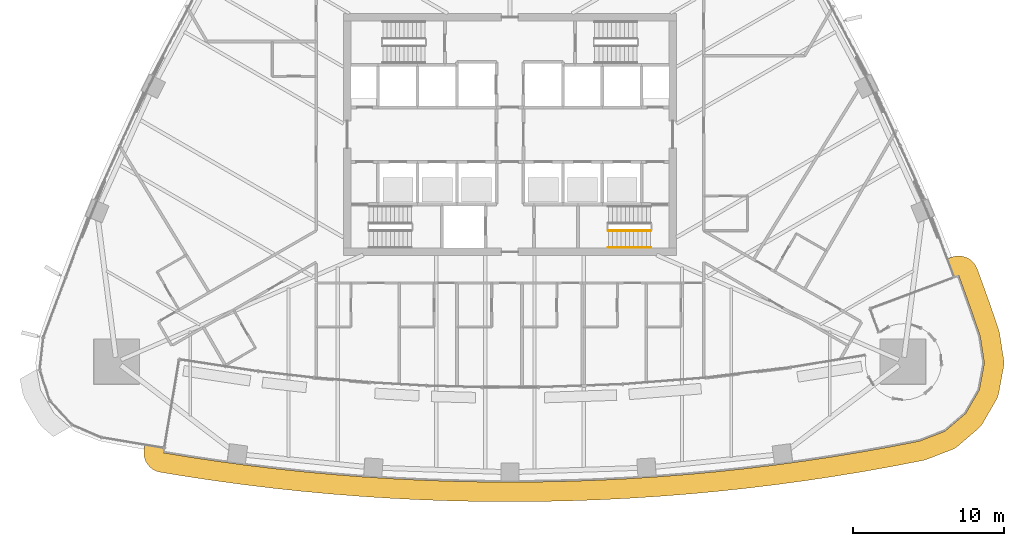
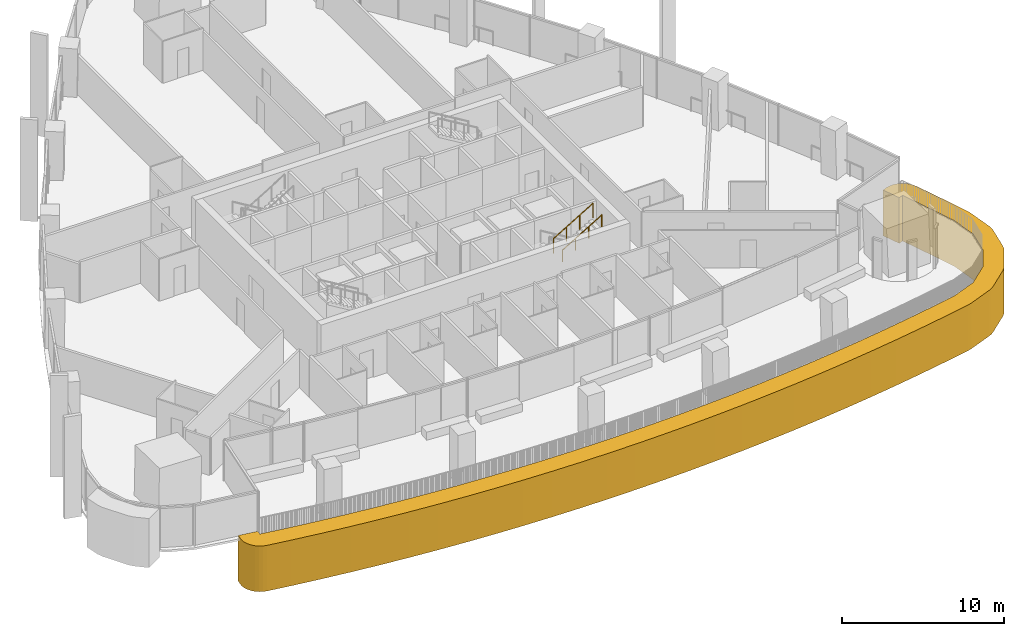
# One storey, part 22 of 25: 2 railings, 1 covering.
"""IFC4 building model written with IfcOpenShell, lengths in metres."""

import ifcopenshell
import ifcopenshell.guid

model = None  # the IFC model being written
_history = None  # IfcOwnerHistory: only IFC2X3 demands one
_inside = {}  # id of a spatial element -> (the spatial element, [elements in it])
_under = {}  # id of a project, library or spatial element -> (it, [spatial elements below it])
_declared = {}  # id of a project -> (the project, [libraries it declares])
_typed = {}  # id of a type object -> (the type object, [elements of that type])
_made_of = {}  # id of a material, layer set ... -> (it, [elements and type objects made of it])


def new_model(schema):
    """Start an empty IFC model of exactly this schema.

    Asked for "IFC4X3", IfcOpenShell would pick the latest addendum, in which some entities
    have other attributes; the version numbers below select the first issue.
    IFC2X3 requires an IfcOwnerHistory on every rooted entity: one is made here for all.
    """
    global model, _history
    if schema == "IFC4X3":
        model = ifcopenshell.file(schema_version=(4, 3, 0, 0))
    else:
        model = ifcopenshell.file(schema=schema)
    _inside.clear()
    _under.clear()
    _declared.clear()
    _typed.clear()
    _made_of.clear()
    _history = None
    if model.schema == "IFC2X3":
        org = make("IfcOrganization", Name="unknown")
        user = make(
            "IfcPersonAndOrganization",
            ThePerson=make("IfcPerson", FamilyName="unknown"),
            TheOrganization=org,
        )
        app = make(
            "IfcApplication",
            ApplicationDeveloper=org,
            Version="unknown",
            ApplicationFullName="unknown",
            ApplicationIdentifier="unknown",
        )
        _history = make(
            "IfcOwnerHistory",
            OwningUser=user,
            OwningApplication=app,
            ChangeAction="ADDED",
            CreationDate=0,
        )
    return model


def make(cls, **values):
    """One entity of the class cls with the attributes given. An attribute that is None is left unset."""
    return model.create_entity(
        cls, **{name: value for name, value in values.items() if value is not None}
    )


def rooted(cls, **values):
    """An entity with a GlobalId (a new one), such as an element, a storey or a relation."""
    return make(cls, GlobalId=ifcopenshell.guid.new(), OwnerHistory=_history, **values)


def si_unit(unit_type, name, prefix=None):
    """IfcSIUnit, for example si_unit("LENGTHUNIT", "METRE", prefix="MILLI")."""
    return make("IfcSIUnit", UnitType=unit_type, Prefix=prefix, Name=name)


def assignment(units):
    """IfcUnitAssignment: the units of a project."""
    return None if units is None else make("IfcUnitAssignment", Units=units)


def point(xyz):
    """IfcCartesianPoint."""
    return None if xyz is None else make("IfcCartesianPoint", Coordinates=xyz)


def direction(xyz):
    """IfcDirection."""
    return None if xyz is None else make("IfcDirection", DirectionRatios=xyz)


def frame(location, z_axis=None, x_axis=None):
    """IfcAxis2Placement3D, a coordinate frame: its origin and axes. An axis left out is left unset."""
    return make(
        "IfcAxis2Placement3D",
        Location=point(location),
        Axis=direction(z_axis),
        RefDirection=direction(x_axis),
    )


def frame_2d(location, x_axis=None):
    """IfcAxis2Placement2D, a coordinate frame in the plane: its origin and x axis."""
    return make(
        "IfcAxis2Placement2D", Location=point(location), RefDirection=direction(x_axis)
    )


def origin():
    """The frame at (0, 0, 0) with its axes left unset."""
    return frame((0.0, 0.0, 0.0))


def origin_2d():
    """The frame at (0, 0) in the plane with its x axis left unset."""
    return frame_2d((0.0, 0.0))


def place(relative_to, where):
    """IfcLocalPlacement: puts the frame where relative to a parent placement (None: the world)."""
    return make(
        "IfcLocalPlacement", PlacementRelTo=relative_to, RelativePlacement=where
    )


def context(
    kind, dimensions, precision=None, world=None, true_north=None, identifier=None
):
    """IfcGeometricRepresentationContext, for example the 3D "Model" context."""
    return make(
        "IfcGeometricRepresentationContext",
        ContextIdentifier=identifier,
        ContextType=kind,
        CoordinateSpaceDimension=dimensions,
        Precision=precision,
        WorldCoordinateSystem=world,
        TrueNorth=true_north,
    )


def subcontext(parent, identifier, kind, view, scale=None):
    """IfcGeometricRepresentationSubContext, for example "Body" below "Model"."""
    return make(
        "IfcGeometricRepresentationSubContext",
        ContextIdentifier=identifier,
        ContextType=kind,
        ParentContext=parent,
        TargetScale=scale,
        TargetView=view,
    )


def project(units=None, contexts=None):
    """IfcProject with its units and contexts."""
    return rooted(
        "IfcProject",
        Name="project",
        RepresentationContexts=contexts,
        UnitsInContext=assignment(units),
    )


def spatial(cls, under=None, at=None, **own):
    """A site, building, storey or space (cls), placed at a placement, below another one or the project."""
    s = rooted(cls, ObjectPlacement=at, **own)
    if under is not None:
        _under.setdefault(under.id(), (under, []))[1].append(s)
    return s


def polyline(points):
    """IfcPolyline through the points."""
    return make("IfcPolyline", Points=[point(p) for p in points])


def profile(cls, at=None, kind="AREA", **sizes):
    """A parametric profile (cls). Its sizes go by their IFC names, for example OverallWidth=200.0."""
    return make(cls, ProfileType=kind, Position=at, **sizes)


def circle(**sizes):
    """IfcCircleProfileDef."""
    return profile("IfcCircleProfileDef", **sizes)


def outline(outer, holes=None, kind="AREA"):
    """IfcArbitraryClosedProfileDef: a profile drawn as a closed curve; with holes, ...WithVoids."""
    if holes is None:
        return make("IfcArbitraryClosedProfileDef", ProfileType=kind, OuterCurve=outer)
    return make(
        "IfcArbitraryProfileDefWithVoids",
        ProfileType=kind,
        OuterCurve=outer,
        InnerCurves=holes,
    )


def extrude(swept, where, along, depth):
    """IfcExtrudedAreaSolid: the profile swept, set in the frame where, extruded along a direction by depth."""
    return make(
        "IfcExtrudedAreaSolid",
        SweptArea=swept,
        Position=where,
        ExtrudedDirection=direction(along),
        Depth=depth,
    )


def shape(context_of_items, identifier, shape_type, items):
    """IfcShapeRepresentation: the items that make up one representation, for example the "Body"."""
    return make(
        "IfcShapeRepresentation",
        ContextOfItems=context_of_items,
        RepresentationIdentifier=identifier,
        RepresentationType=shape_type,
        Items=items,
    )


def material(Name=None, Category=None):
    """IfcMaterial."""
    return make("IfcMaterial", Name=Name, Category=Category)


def layer(
    of_material, thickness, ventilated=None, Name=None, Category=None, Priority=None
):
    """IfcMaterialLayer: one layer of a wall or slab, of a material (None: an air gap)."""
    return make(
        "IfcMaterialLayer",
        Material=of_material,
        LayerThickness=thickness,
        IsVentilated=ventilated,
        Name=Name,
        Category=Category,
        Priority=Priority,
    )


def layer_set(layers, Name=None):
    """IfcMaterialLayerSet."""
    return make("IfcMaterialLayerSet", MaterialLayers=layers, LayerSetName=Name)


def made_of(thing, what):
    """Note that an element or type object is made of a material, layer set ...; save() writes the relation."""
    if what is not None:
        _made_of.setdefault(what.id(), (what, []))[1].append(thing)
    return thing


def type_object(cls, material=None, **own):
    """A type object (cls), such as IfcWallType, which elements share."""
    return made_of(rooted(cls, **own), material)


def element(
    cls,
    number,
    at=None,
    inside=None,
    cuts=None,
    type_object=None,
    material=None,
    context=None,
    identifier="Body",
    shape_type=None,
    held_by="IfcProductDefinitionShape",
    body=None,
    shapes=None,
    **own,
):
    """One element of the class cls, such as IfcWall. Its Tag is "e" and its number.

    at: its placement. inside: the storey or other place that contains it. cuts: it is an
    opening in that element (IfcRelVoidsElement). A single representation is given by context,
    identifier, shape_type and body (its items); several are given by shapes. held_by: the class
    of the entity that holds the representations. save() writes the other relations.
    """
    e = rooted(cls, Tag="e%d" % number, ObjectPlacement=at, **own)
    if body is not None:
        shapes = [shape(context, identifier, shape_type, body)]
    if shapes is not None:
        e.Representation = make(held_by, Representations=shapes)
    if inside is not None:
        _inside.setdefault(inside.id(), (inside, []))[1].append(e)
    if cuts is not None:
        rooted(
            "IfcRelVoidsElement", RelatingBuildingElement=cuts, RelatedOpeningElement=e
        )
    if type_object is not None:
        _typed.setdefault(type_object.id(), (type_object, []))[1].append(e)
    return made_of(e, material)


def aggregate(whole, parts):
    """IfcRelAggregates: a whole, such as a stair, and the parts it consists of."""
    return rooted("IfcRelAggregates", RelatingObject=whole, RelatedObjects=parts)


def save(model, path):
    """Write the relations noted so far, then the file.

    IfcRelAggregates (storeys below a building ...), IfcRelContainedInSpatialStructure (elements
    in a storey), IfcRelDefinesByType, IfcRelAssociatesMaterial and IfcRelDeclares: one each for
    every whole, place, type object, material and project.
    """
    for whole, parts in _under.values():
        aggregate(whole, parts)
    for where, things in _inside.values():
        rooted(
            "IfcRelContainedInSpatialStructure",
            RelatedElements=things,
            RelatingStructure=where,
        )
    for kind, things in _typed.values():
        rooted("IfcRelDefinesByType", RelatedObjects=things, RelatingType=kind)
    for what, things in _made_of.values():
        rooted("IfcRelAssociatesMaterial", RelatedObjects=things, RelatingMaterial=what)
    for by, libraries in _declared.values():
        rooted("IfcRelDeclares", RelatingContext=by, RelatedDefinitions=libraries)
    model.write(path)


model = new_model("IFC4")

# Units and contexts
model_context = context("Model", 3, precision=1e-05, world=origin(), true_north=direction((0.0, 1.0)))
body_context = subcontext(model_context, "Body", "Model", "MODEL_VIEW")
ifc_project = project(units=[si_unit("LENGTHUNIT", "METRE"), si_unit("AREAUNIT", "SQUARE_METRE"), si_unit("VOLUMEUNIT", "CUBIC_METRE"), si_unit("PLANEANGLEUNIT", "RADIAN"), si_unit("MASSUNIT", "GRAM", prefix="KILO")], contexts=[model_context])

# Site, building, storey
site_placement = place(None, origin())
site = spatial("IfcSite", under=ifc_project, at=site_placement, CompositionType="ELEMENT")
building_placement = place(site_placement, origin())
building = spatial("IfcBuilding", under=site, at=building_placement, Name="Sierra Prisma Convention Tower", CompositionType="ELEMENT")
storey_placement = place(building_placement, frame((0.0, 0.0, 88.699951171875)))
storey = spatial("IfcBuildingStorey", under=building, at=storey_placement, Name="L18", CompositionType="ELEMENT", Elevation=88.699951171875)

# Railings
ifc_material_1 = material(Name="Stainless steel", Category="steel")
railing_type_1 = type_object("IfcRailingType", Name="Exit stair handrail", PredefinedType="HANDRAIL", material=ifc_material_1)
railing_1_placement = place(storey_placement, frame((6.5, -7.449951171875, 2.018310546875)))
element("IfcRailing", 1, at=railing_1_placement, inside=storey, type_object=railing_type_1, Name="L18 S2 stair handrail 2", PredefinedType="HANDRAIL", context=body_context, shape_type="SweptSolid", body=[
    extrude(circle(Radius=0.02392578125, at=origin_2d()), frame((0.0, 0.0, 0.8759765625), z_axis=(0.857275202839, 0.0, 0.514858452973), x_axis=(0.0, 1.0, 0.0)), (0.0, 0.0, 1.0), 3.26611328125),
    extrude(circle(Radius=0.02099609375, at=origin_2d()), origin(), (0.0, 0.0, 1.0), 0.851806640625),
    extrude(circle(Radius=0.02099609375, at=origin_2d()), frame((0.933349609375, 0.0, 0.560546875)), (0.0, 0.0, 1.0), 0.851806640625),
    extrude(circle(Radius=0.02099609375, at=origin_2d()), frame((1.86669921875, 0.0, 1.12109375)), (0.0, 0.0, 1.0), 0.851806640625),
    extrude(circle(Radius=0.02099609375, at=origin_2d()), frame((2.800048828125, 0.0, 1.681640625)), (0.0, 0.0, 1.0), 0.851806640625),
])
ifc_material_2 = material(Name="Stainless steel", Category="steel")
railing_type_2 = type_object("IfcRailingType", Name="Stair guard 1100", PredefinedType="GUARDRAIL", material=ifc_material_2)
railing_2_placement = place(storey_placement, frame((6.5, -6.35009765625, 2.018310546875)))
element("IfcRailing", 2, at=railing_2_placement, inside=storey, type_object=railing_type_2, Name="L18 S2 stair guard 3", PredefinedType="GUARDRAIL", context=body_context, shape_type="SweptSolid", body=[
    extrude(circle(Radius=0.02392578125, at=origin_2d()), frame((0.0, 0.0, 1.076171875), z_axis=(0.857275202839, 0.0, 0.514858452973), x_axis=(0.0, 1.0, 0.0)), (0.0, 0.0, 1.0), 3.26611328125),
    extrude(circle(Radius=0.02099609375, at=origin_2d()), origin(), (0.0, 0.0, 1.0), 1.052001953125),
    extrude(circle(Radius=0.02099609375, at=origin_2d()), frame((0.933349609375, 0.0, 0.560546875)), (0.0, 0.0, 1.0), 1.052001953125),
    extrude(circle(Radius=0.02099609375, at=origin_2d()), frame((1.86669921875, 0.0, 1.12109375)), (0.0, 0.0, 1.0), 1.052001953125),
    extrude(circle(Radius=0.02099609375, at=origin_2d()), frame((2.800048828125, 0.0, 1.681640625)), (0.0, 0.0, 1.0), 1.052001953125),
])

# Covering
ifc_material_3 = material(Name="Aluminium composite bronze anodised", Category="aluminium")
ifc_layer = layer(ifc_material_3, 1.300048828125)
ifc_layer_set = layer_set([ifc_layer], Name="Terrace fascia")
covering_type = type_object("IfcCoveringType", Name="Terrace fascia", PredefinedType="CLADDING", material=ifc_layer_set)
covering_placement = place(storey_placement, frame((0.0, 0.0, -3.39990234375)))
element("IfcCovering", 3, at=covering_placement, inside=storey, type_object=covering_type, Name="Terrace fascia L18.1", PredefinedType="CLADDING", context=body_context, shape_type="SweptSolid", body=[
    extrude(outline(polyline([(29.191650390625, -8.0927734375), (29.437744140625, -8.027587890625), (29.691650390625, -8.01123046875), (29.94384765625, -8.044921875), (30.184814453125, -8.127197265625), (30.405029296875, -8.25439453125), (30.59619140625, -8.422607421875), (30.7509765625, -8.62451171875), (30.863525390625, -8.852783203125), (30.986572265625, -9.179443359375), (30.992919921875, -9.197021484375), (31.652099609375, -11.027099609375), (31.658203125, -11.044677734375), (32.291259765625, -12.884033203125), (32.3466796875, -13.106689453125), (32.62451171875, -14.888671875), (32.639892578125, -15.1083984375), (32.617919921875, -15.327392578125), (32.287353515625, -17.100341796875), (32.228759765625, -17.312744140625), (32.13525390625, -17.511962890625), (31.2333984375, -19.073974609375), (31.107666015625, -19.254638671875), (30.952880859375, -19.411376953125), (29.5830078125, -20.584228515625), (29.404296875, -20.712890625), (29.206298828125, -20.809326171875), (27.524169921875, -21.459716796875), (27.3037109375, -21.523193359375), (25.39404296875, -21.89453125), (25.3759765625, -21.89794921875), (23.461181640625, -22.2421875), (23.443115234375, -22.245361328125), (21.523681640625, -22.5625), (21.50537109375, -22.565185546875), (19.581787109375, -22.85498046875), (19.5634765625, -22.857421875), (17.6357421875, -23.11962890625), (17.617431640625, -23.1220703125), (15.686279296875, -23.35693359375), (15.66796875, -23.35888671875), (13.733642578125, -23.566162109375), (13.715087890625, -23.568115234375), (11.7783203125, -23.747802734375), (11.759765625, -23.74951171875), (9.8203125, -23.901611328125), (9.802001953125, -23.90283203125), (7.860595703125, -24.02734375), (7.842041015625, -24.0283203125), (5.899169921875, -24.125244140625), (5.880615234375, -24.1259765625), (3.9365234375, -24.1953125), (3.91796875, -24.19580078125), (1.97314453125, -24.2373046875), (1.95458984375, -24.237548828125), (0.00927734375, -24.25146484375), (-0.00927734375, -24.25146484375), (-1.95458984375, -24.237548828125), (-1.97314453125, -24.2373046875), (-3.91796875, -24.19580078125), (-3.9365234375, -24.1953125), (-5.880615234375, -24.1259765625), (-5.899169921875, -24.125244140625), (-7.842041015625, -24.0283203125), (-7.860595703125, -24.02734375), (-9.802001953125, -23.90283203125), (-9.8203125, -23.901611328125), (-11.759765625, -23.74951171875), (-11.7783203125, -23.747802734375), (-13.715087890625, -23.568115234375), (-13.733642578125, -23.566162109375), (-15.66796875, -23.35888671875), (-15.686279296875, -23.35693359375), (-17.617431640625, -23.1220703125), (-17.6357421875, -23.11962890625), (-19.5634765625, -22.857421875), (-19.581787109375, -22.85498046875), (-21.50537109375, -22.565185546875), (-21.523681640625, -22.5625), (-23.098388671875, -22.30224609375), (-23.344970703125, -22.236083984375), (-23.57373046875, -22.123291015625), (-23.776123046875, -21.9677734375), (-23.944091796875, -21.775634765625), (-24.071533203125, -21.554443359375), (-24.1533203125, -21.3125), (-24.18603515625, -21.0595703125), (-24.168701171875, -20.804931640625), (-24.115966796875, -20.489501953125), (-22.833251953125, -20.701171875), (-22.88671875, -21.01953125), (-21.311767578125, -21.27978515625), (-19.38818359375, -21.5693359375), (-17.46044921875, -21.83154296875), (-15.529296875, -22.06640625), (-13.59521484375, -22.273681640625), (-11.658203125, -22.453369140625), (-9.71875, -22.60546875), (-7.77734375, -22.72998046875), (-5.83447265625, -22.826904296875), (-3.89013671875, -22.89599609375), (-1.9453125, -22.9375), (0.0, -22.951416015625), (1.9453125, -22.9375), (3.89013671875, -22.89599609375), (5.83447265625, -22.826904296875), (7.77734375, -22.72998046875), (9.71875, -22.60546875), (11.658203125, -22.453369140625), (13.59521484375, -22.273681640625), (15.529296875, -22.06640625), (17.46044921875, -21.83154296875), (19.38818359375, -21.5693359375), (21.311767578125, -21.27978515625), (23.231201171875, -20.962646484375), (25.145751953125, -20.618408203125), (27.055419921875, -20.2470703125), (28.737548828125, -19.5966796875), (30.107666015625, -18.423828125), (31.009521484375, -16.862060546875), (31.340087890625, -15.089111328125), (31.06201171875, -13.30712890625), (30.428955078125, -11.4677734375), (29.77001953125, -9.637451171875), (29.64697265625, -9.310546875), (29.344482421875, -9.423583984375), (28.88671875, -8.206787109375), (29.191650390625, -8.0927734375)])), origin(), (0.0, 0.0, 1.0), 3.43994140625),
])

save(model, "model.ifc")
